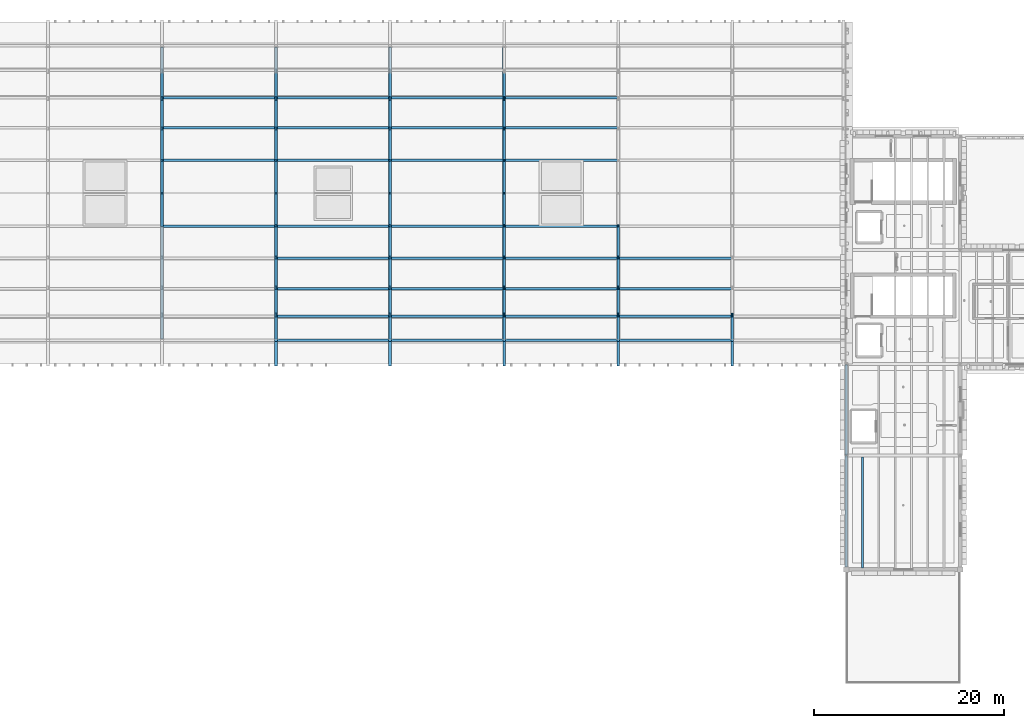
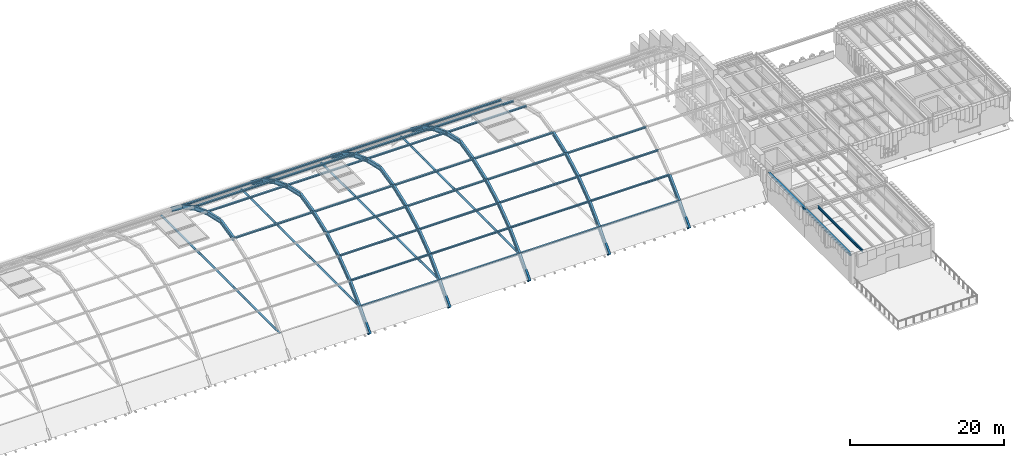
# One storey, part 6 of 35: 77 beams, 4 members.
"""IFC4 building model written with IfcOpenShell, lengths in metres."""

from ifc_helpers import new_model, si_unit, direction, frame, origin, origin_2d, place, context, subcontext, project, spatial, hollow_circle, i_section, extrude, material, material_profile, profile_set, type_object, element, save


model = new_model("IFC4")

# Units and contexts
model_context = context("Model", 3, precision=1e-05, world=origin(), true_north=direction((0.0, 1.0)))
body_context = subcontext(model_context, "Body", "Model", "MODEL_VIEW")
ifc_project = project(units=[si_unit("LENGTHUNIT", "METRE"), si_unit("AREAUNIT", "SQUARE_METRE"), si_unit("VOLUMEUNIT", "CUBIC_METRE"), si_unit("PLANEANGLEUNIT", "RADIAN"), si_unit("MASSUNIT", "GRAM", prefix="KILO")], contexts=[model_context])

# Site, building, storey
site_placement = place(None, origin())
site = spatial("IfcSite", under=ifc_project, at=site_placement, CompositionType="ELEMENT")
building_placement = place(site_placement, origin())
building = spatial("IfcBuilding", under=site, at=building_placement, Name="Zlatogorsky Bluff Art Gallery", CompositionType="ELEMENT")
storey_placement = place(building_placement, frame((0.0, 0.0, 23.39990234375)))
storey = spatial("IfcBuildingStorey", under=building, at=storey_placement, Name="L04", CompositionType="ELEMENT", Elevation=23.39990234375)

# Beams
ifc_material = material(Name="Steel S355", Category="steel")
ifc_material_profile_1 = material_profile(ifc_material, i_section(OverallWidth=0.300048828125, OverallDepth=0.389892578125, WebThickness=0.010986328125, FlangeThickness=0.01904296875, FilletRadius=0.027099609375, at=origin_2d()), Name="HEA 400")
ifc_profile_set_1 = profile_set([ifc_material_profile_1], Name="Steel S355")
beam_type_1 = type_object("IfcBeamType", Name="Beam BM-09 HEA 400", PredefinedType="BEAM", material=ifc_profile_set_1)
beam_1_placement = place(storey_placement, frame((120.0, 62.655029296875, 4.364990234375), z_axis=(0.0, 1.0, 0.0), x_axis=(-1.0, 0.0, 0.0)))
element("IfcBeam", 1, at=beam_1_placement, inside=storey, type_object=beam_type_1, Name="Primary girder BM-09 L04 L/7-8", PredefinedType="BEAM", context=body_context, shape_type="SweptSolid", body=[
    extrude(i_section(OverallWidth=0.300048828125, OverallDepth=0.389892578125, WebThickness=0.010986328125, FlangeThickness=0.01904296875, FilletRadius=0.027099609375, at=origin_2d()), origin(), (0.0, 0.0, 1.0), 11.72998046875),
])
ifc_material_profile_2 = material_profile(ifc_material, i_section(OverallWidth=0.300048828125, OverallDepth=0.35009765625, WebThickness=0.010009765625, FlangeThickness=0.017578125, FilletRadius=0.027099609375, at=origin_2d()), Name="HEA 360")
ifc_profile_set_2 = profile_set([ifc_material_profile_2], Name="Steel S355")
beam_type_2 = type_object("IfcBeamType", Name="Beam BM-10 HEA 360", PredefinedType="BEAM", material=ifc_profile_set_2)
beam_2_placement = place(storey_placement, frame((120.0, 74.4150390625, 4.385009765625), z_axis=(0.0, 1.0, 0.0), x_axis=(-1.0, 0.0, 0.0)))
element("IfcBeam", 2, at=beam_2_placement, inside=storey, type_object=beam_type_2, Name="Primary girder BM-10 L04 L/8-9", PredefinedType="BEAM", context=body_context, shape_type="SweptSolid", body=[
    extrude(i_section(OverallWidth=0.300048828125, OverallDepth=0.35009765625, WebThickness=0.010009765625, FlangeThickness=0.017578125, FilletRadius=0.027099609375, at=origin_2d()), origin(), (0.0, 0.0, 1.0), 9.570068359375),
])
ifc_material_profile_3 = material_profile(ifc_material, i_section(OverallWidth=0.179931640625, OverallDepth=0.39990234375, WebThickness=0.008544921875, FlangeThickness=0.013427734375, FilletRadius=0.02099609375, at=origin_2d()), Name="IPE 400")
ifc_profile_set_3 = profile_set([ifc_material_profile_3], Name="Steel S355")
beam_type_3 = type_object("IfcBeamType", Name="Beam JS-05 IPE 400", PredefinedType="JOIST", material=ifc_profile_set_3)
beam_3_placement = place(storey_placement, frame((121.71435546875, 62.550048828125, 4.360107421875), z_axis=(0.0, 1.0, 0.0), x_axis=(-1.0, 0.0, 0.0)))
element("IfcBeam", 3, at=beam_3_placement, inside=storey, type_object=beam_type_3, Name="Composite floor joist JS-05 L04 10.06.1", PredefinedType="JOIST", context=body_context, shape_type="SweptSolid", body=[
    extrude(i_section(OverallWidth=0.179931640625, OverallDepth=0.39990234375, WebThickness=0.008544921875, FlangeThickness=0.013427734375, FilletRadius=0.02099609375, at=origin_2d()), origin(), (0.0, 0.0, 1.0), 11.699951171875),
])
ifc_material_profile_4 = material_profile(ifc_material, i_section(OverallWidth=0.260009765625, OverallDepth=0.25, WebThickness=0.007568359375, FlangeThickness=0.012451171875, FilletRadius=0.02392578125, at=origin_2d()), Name="HEA 260")
ifc_profile_set_4 = profile_set([ifc_material_profile_4], Name="Steel S355")
beam_type_4 = type_object("IfcBeamType", Name="Beam PR-01 HEA 260", PredefinedType="BEAM", material=ifc_profile_set_4)
for number, where, z_axis, x_axis, name in (
    (4, (48.014892578125, 98.520751953125, 10.438232421875), (1.0, 0.0, 0.0), (0.0, 1.0, 0.0), "Barrel vault longitudinal purlin bay 5 node 5"),
    (5, (48.014892578125, 105.479248046875, 10.438232421875), (1.0, 0.0, 0.0), (0.0, 1.0, 0.0), "Barrel vault longitudinal purlin bay 5 node 7"),
    (6, (48.014892578125, 108.868408203125, 9.16162109375), (1.0, 0.0, 0.0), (0.0, 1.0, 0.0), "Barrel vault longitudinal purlin bay 5 node 8"),
    (7, (48.014892578125, 112.0439453125, 7.419921875), (1.0, 0.0, 0.0), (0.0, 1.0, 0.0), "Barrel vault longitudinal purlin bay 5 node 9"),
    (8, (60.014892578125, 86.495361328125, 2.688720703125), (1.0, 0.0, 0.0), (0.0, 1.0, 0.0), "Barrel vault longitudinal purlin bay 6 node 1"),
    (9, (60.014892578125, 89.05810546875, 5.247802734375), (1.0, 0.0, 0.0), (0.0, 1.0, 0.0), "Barrel vault longitudinal purlin bay 6 node 2"),
    (10, (60.014892578125, 91.9560546875, 7.419921875), (1.0, 0.0, 0.0), (0.0, 1.0, 0.0), "Barrel vault longitudinal purlin bay 6 node 3"),
    (11, (60.014892578125, 95.131591796875, 9.16162109375), (1.0, 0.0, 0.0), (0.0, 1.0, 0.0), "Barrel vault longitudinal purlin bay 6 node 4"),
    (12, (60.014892578125, 98.520751953125, 10.438232421875), (1.0, 0.0, 0.0), (0.0, 1.0, 0.0), "Barrel vault longitudinal purlin bay 6 node 5"),
    (13, (60.014892578125, 105.479248046875, 10.438232421875), (1.0, 0.0, 0.0), (0.0, 1.0, 0.0), "Barrel vault longitudinal purlin bay 6 node 7"),
    (14, (60.014892578125, 108.868408203125, 9.16162109375), (1.0, 0.0, 0.0), (0.0, 1.0, 0.0), "Barrel vault longitudinal purlin bay 6 node 8"),
    (15, (60.014892578125, 112.0439453125, 7.419921875), (1.0, 0.0, 0.0), (0.0, 1.0, 0.0), "Barrel vault longitudinal purlin bay 6 node 9"),
    (16, (72.014892578125, 86.495361328125, 2.688720703125), (1.0, 0.0, 0.0), (0.0, 1.0, 0.0), "Barrel vault longitudinal purlin bay 7 node 1"),
    (17, (72.014892578125, 89.05810546875, 5.247802734375), (1.0, 0.0, 0.0), (0.0, 1.0, 0.0), "Barrel vault longitudinal purlin bay 7 node 2"),
    (18, (72.014892578125, 91.9560546875, 7.419921875), (1.0, 0.0, 0.0), (0.0, 1.0, 0.0), "Barrel vault longitudinal purlin bay 7 node 3"),
    (19, (72.014892578125, 95.131591796875, 9.16162109375), (1.0, 0.0, 0.0), (0.0, 1.0, 0.0), "Barrel vault longitudinal purlin bay 7 node 4"),
    (20, (72.014892578125, 98.520751953125, 10.438232421875), (1.0, 0.0, 0.0), (0.0, 1.0, 0.0), "Barrel vault longitudinal purlin bay 7 node 5"),
    (21, (72.014892578125, 105.479248046875, 10.438232421875), (1.0, 0.0, 0.0), (0.0, 1.0, 0.0), "Barrel vault longitudinal purlin bay 7 node 7"),
    (22, (72.014892578125, 108.868408203125, 9.16162109375), (1.0, 0.0, 0.0), (0.0, 1.0, 0.0), "Barrel vault longitudinal purlin bay 7 node 8"),
    (23, (72.014892578125, 112.0439453125, 7.419921875), (1.0, 0.0, 0.0), (0.0, 1.0, 0.0), "Barrel vault longitudinal purlin bay 7 node 9"),
    (24, (84.014892578125, 86.495361328125, 2.688720703125), (1.0, 0.0, 0.0), (0.0, 1.0, 0.0), "Barrel vault longitudinal purlin bay 8 node 1"),
    (25, (84.014892578125, 89.05810546875, 5.247802734375), (1.0, 0.0, 0.0), (0.0, 1.0, 0.0), "Barrel vault longitudinal purlin bay 8 node 2"),
    (26, (84.014892578125, 91.9560546875, 7.419921875), (1.0, 0.0, 0.0), (0.0, 1.0, 0.0), "Barrel vault longitudinal purlin bay 8 node 3"),
    (27, (84.014892578125, 95.131591796875, 9.16162109375), (1.0, 0.0, 0.0), (0.0, 1.0, 0.0), "Barrel vault longitudinal purlin bay 8 node 4"),
    (28, (84.014892578125, 98.520751953125, 10.438232421875), (1.0, 0.0, 0.0), (0.0, 1.0, 0.0), "Barrel vault longitudinal purlin bay 8 node 5"),
    (29, (84.014892578125, 105.479248046875, 10.438232421875), (1.0, 0.0, 0.0), (0.0, 1.0, 0.0), "Barrel vault longitudinal purlin bay 8 node 7"),
    (30, (84.014892578125, 108.868408203125, 9.16162109375), (1.0, 0.0, 0.0), (0.0, 1.0, 0.0), "Barrel vault longitudinal purlin bay 8 node 8"),
    (31, (84.014892578125, 112.0439453125, 7.419921875), (1.0, 0.0, 0.0), (0.0, 1.0, 0.0), "Barrel vault longitudinal purlin bay 8 node 9"),
    (32, (96.014892578125, 86.495361328125, 2.688720703125), (1.0, 0.0, 0.0), (0.0, 1.0, 0.0), "Barrel vault longitudinal purlin bay 9 node 1"),
    (33, (96.014892578125, 89.05810546875, 5.247802734375), (1.0, 0.0, 0.0), (0.0, 1.0, 0.0), "Barrel vault longitudinal purlin bay 9 node 2"),
    (34, (96.014892578125, 91.9560546875, 7.419921875), (1.0, 0.0, 0.0), (0.0, 1.0, 0.0), "Barrel vault longitudinal purlin bay 9 node 3"),
    (35, (96.014892578125, 95.131591796875, 9.16162109375), (1.0, 0.0, 0.0), (0.0, 1.0, 0.0), "Barrel vault longitudinal purlin bay 9 node 4"),
):
    element("IfcBeam", number, at=place(storey_placement, frame(where, z_axis=z_axis, x_axis=x_axis)), inside=storey, type_object=beam_type_4, Name=name, PredefinedType="BEAM", context=body_context, shape_type="SweptSolid", body=[
        extrude(i_section(OverallWidth=0.260009765625, OverallDepth=0.25, WebThickness=0.007568359375, FlangeThickness=0.012451171875, FilletRadius=0.02392578125, at=origin_2d()), origin(), (0.0, 0.0, 1.0), 11.97021484375),
    ])
ifc_material_profile_5 = material_profile(ifc_material, i_section(OverallWidth=0.300048828125, OverallDepth=0.64990234375, WebThickness=0.01611328125, FlangeThickness=0.031005859375, FilletRadius=0.027099609375, at=origin_2d()), Name="HEB 650")
ifc_profile_set_5 = profile_set([ifc_material_profile_5], Name="Steel S355")
beam_type_5 = type_object("IfcBeamType", Name="Beam VR-01 HEB 650", PredefinedType="BEAM", material=ifc_profile_set_5)
for number, where, z_axis, x_axis, name in (
    (36, (48.0, 98.5693359375, 10.275390625), (0.0, 0.97544148317, 0.220258740827), (-1.0, 0.0, 0.0), "Barrel vault pointed arch rib VR-01 E.6"),
    (37, (48.0, 102.0, 11.050048828125), (0.0, 0.97544148317, -0.220258740827), (-1.0, 0.0, 0.0), "Barrel vault pointed arch rib VR-01 E.7"),
):
    element("IfcBeam", number, at=place(storey_placement, frame(where, z_axis=z_axis, x_axis=x_axis)), inside=storey, type_object=beam_type_5, Name=name, PredefinedType="BEAM", context=body_context, shape_type="SweptSolid", body=[
        extrude(i_section(OverallWidth=0.300048828125, OverallDepth=0.64990234375, WebThickness=0.01611328125, FlangeThickness=0.031005859375, FilletRadius=0.027099609375, at=origin_2d()), origin(), (0.0, 0.0, 1.0), 3.51708984375),
    ])
beam_4_placement = place(storey_placement, frame((48.0, 105.4306640625, 10.275390625), z_axis=(0.0, 0.935806673687, -0.352513644392), x_axis=(-1.0, 0.0, 0.0)))
element("IfcBeam", 38, at=beam_4_placement, inside=storey, type_object=beam_type_5, Name="Barrel vault pointed arch rib VR-01 E.8", PredefinedType="BEAM", context=body_context, shape_type="SweptSolid", body=[
    extrude(i_section(OverallWidth=0.300048828125, OverallDepth=0.64990234375, WebThickness=0.01611328125, FlangeThickness=0.031005859375, FilletRadius=0.027099609375, at=origin_2d()), origin(), (0.0, 0.0, 1.0), 3.597900390625),
])
beam_5_placement = place(storey_placement, frame((48.0, 108.797607421875, 9.007080078125), z_axis=(0.0, 0.876744100789, -0.480957151659), x_axis=(-1.0, 0.0, 0.0)))
element("IfcBeam", 39, at=beam_5_placement, inside=storey, type_object=beam_type_5, Name="Barrel vault pointed arch rib VR-01 E.9", PredefinedType="BEAM", context=body_context, shape_type="SweptSolid", body=[
    extrude(i_section(OverallWidth=0.300048828125, OverallDepth=0.64990234375, WebThickness=0.01611328125, FlangeThickness=0.031005859375, FilletRadius=0.027099609375, at=origin_2d()), origin(), (0.0, 0.0, 1.0), 3.597412109375),
])
beam_6_placement = place(storey_placement, frame((48.0, 111.95166015625, 7.27685546875), z_axis=(0.0, 0.800195391986, -0.599739388939), x_axis=(-1.0, 0.0, 0.0)))
element("IfcBeam", 40, at=beam_6_placement, inside=storey, type_object=beam_type_5, Name="Barrel vault pointed arch rib VR-01 E.10", PredefinedType="BEAM", context=body_context, shape_type="SweptSolid", body=[
    extrude(i_section(OverallWidth=0.300048828125, OverallDepth=0.64990234375, WebThickness=0.01611328125, FlangeThickness=0.031005859375, FilletRadius=0.027099609375, at=origin_2d()), origin(), (0.0, 0.0, 1.0), 3.59765625),
])
beam_7_placement = place(storey_placement, frame((60.0, 84.02001953125, -0.25), z_axis=(0.0, 0.677448622917, 0.735570094082), x_axis=(-1.0, 0.0, 0.0)))
element("IfcBeam", 41, at=beam_7_placement, inside=storey, type_object=beam_type_5, Name="Barrel vault pointed arch rib VR-01 F.1", PredefinedType="BEAM", context=body_context, shape_type="SweptSolid", body=[
    extrude(i_section(OverallWidth=0.300048828125, OverallDepth=0.64990234375, WebThickness=0.01611328125, FlangeThickness=0.031005859375, FilletRadius=0.027099609375, at=origin_2d()), origin(), (0.0, 0.0, 1.0), 3.843505859375),
])
beam_8_placement = place(storey_placement, frame((60.0, 86.623779296875, 2.5771484375), z_axis=(0.0, 0.707615576313, 0.706597619696), x_axis=(-1.0, 0.0, 0.0)))
element("IfcBeam", 42, at=beam_8_placement, inside=storey, type_object=beam_type_5, Name="Barrel vault pointed arch rib VR-01 F.2", PredefinedType="BEAM", context=body_context, shape_type="SweptSolid", body=[
    extrude(i_section(OverallWidth=0.300048828125, OverallDepth=0.64990234375, WebThickness=0.01611328125, FlangeThickness=0.031005859375, FilletRadius=0.027099609375, at=origin_2d()), origin(), (0.0, 0.0, 1.0), 3.597412109375),
])
beam_9_placement = place(storey_placement, frame((60.0, 89.16943359375, 5.119140625), z_axis=(0.0, 0.800195391986, 0.599739388939), x_axis=(-1.0, 0.0, 0.0)))
element("IfcBeam", 43, at=beam_9_placement, inside=storey, type_object=beam_type_5, Name="Barrel vault pointed arch rib VR-01 F.3", PredefinedType="BEAM", context=body_context, shape_type="SweptSolid", body=[
    extrude(i_section(OverallWidth=0.300048828125, OverallDepth=0.64990234375, WebThickness=0.01611328125, FlangeThickness=0.031005859375, FilletRadius=0.027099609375, at=origin_2d()), origin(), (0.0, 0.0, 1.0), 3.59765625),
])
beam_10_placement = place(storey_placement, frame((60.0, 92.04833984375, 7.27685546875), z_axis=(0.0, 0.876744100789, 0.480957151659), x_axis=(-1.0, 0.0, 0.0)))
element("IfcBeam", 44, at=beam_10_placement, inside=storey, type_object=beam_type_5, Name="Barrel vault pointed arch rib VR-01 F.4", PredefinedType="BEAM", context=body_context, shape_type="SweptSolid", body=[
    extrude(i_section(OverallWidth=0.300048828125, OverallDepth=0.64990234375, WebThickness=0.01611328125, FlangeThickness=0.031005859375, FilletRadius=0.027099609375, at=origin_2d()), origin(), (0.0, 0.0, 1.0), 3.597412109375),
])
beam_11_placement = place(storey_placement, frame((60.0, 95.202392578125, 9.007080078125), z_axis=(0.0, 0.935806673687, 0.352513644392), x_axis=(-1.0, 0.0, 0.0)))
element("IfcBeam", 45, at=beam_11_placement, inside=storey, type_object=beam_type_5, Name="Barrel vault pointed arch rib VR-01 F.5", PredefinedType="BEAM", context=body_context, shape_type="SweptSolid", body=[
    extrude(i_section(OverallWidth=0.300048828125, OverallDepth=0.64990234375, WebThickness=0.01611328125, FlangeThickness=0.031005859375, FilletRadius=0.027099609375, at=origin_2d()), origin(), (0.0, 0.0, 1.0), 3.597900390625),
])
for number, where, z_axis, x_axis, name in (
    (46, (60.0, 98.5693359375, 10.275390625), (0.0, 0.97544148317, 0.220258740827), (-1.0, 0.0, 0.0), "Barrel vault pointed arch rib VR-01 F.6"),
    (47, (60.0, 102.0, 11.050048828125), (0.0, 0.97544148317, -0.220258740827), (-1.0, 0.0, 0.0), "Barrel vault pointed arch rib VR-01 F.7"),
):
    element("IfcBeam", number, at=place(storey_placement, frame(where, z_axis=z_axis, x_axis=x_axis)), inside=storey, type_object=beam_type_5, Name=name, PredefinedType="BEAM", context=body_context, shape_type="SweptSolid", body=[
        extrude(i_section(OverallWidth=0.300048828125, OverallDepth=0.64990234375, WebThickness=0.01611328125, FlangeThickness=0.031005859375, FilletRadius=0.027099609375, at=origin_2d()), origin(), (0.0, 0.0, 1.0), 3.51708984375),
    ])
beam_12_placement = place(storey_placement, frame((60.0, 105.4306640625, 10.275390625), z_axis=(0.0, 0.935806673687, -0.352513644392), x_axis=(-1.0, 0.0, 0.0)))
element("IfcBeam", 48, at=beam_12_placement, inside=storey, type_object=beam_type_5, Name="Barrel vault pointed arch rib VR-01 F.8", PredefinedType="BEAM", context=body_context, shape_type="SweptSolid", body=[
    extrude(i_section(OverallWidth=0.300048828125, OverallDepth=0.64990234375, WebThickness=0.01611328125, FlangeThickness=0.031005859375, FilletRadius=0.027099609375, at=origin_2d()), origin(), (0.0, 0.0, 1.0), 3.597900390625),
])
beam_13_placement = place(storey_placement, frame((60.0, 108.797607421875, 9.007080078125), z_axis=(0.0, 0.876744100789, -0.480957151659), x_axis=(-1.0, 0.0, 0.0)))
element("IfcBeam", 49, at=beam_13_placement, inside=storey, type_object=beam_type_5, Name="Barrel vault pointed arch rib VR-01 F.9", PredefinedType="BEAM", context=body_context, shape_type="SweptSolid", body=[
    extrude(i_section(OverallWidth=0.300048828125, OverallDepth=0.64990234375, WebThickness=0.01611328125, FlangeThickness=0.031005859375, FilletRadius=0.027099609375, at=origin_2d()), origin(), (0.0, 0.0, 1.0), 3.597412109375),
])
beam_14_placement = place(storey_placement, frame((60.0, 111.95166015625, 7.27685546875), z_axis=(0.0, 0.800195391986, -0.599739388939), x_axis=(-1.0, 0.0, 0.0)))
element("IfcBeam", 50, at=beam_14_placement, inside=storey, type_object=beam_type_5, Name="Barrel vault pointed arch rib VR-01 F.10", PredefinedType="BEAM", context=body_context, shape_type="SweptSolid", body=[
    extrude(i_section(OverallWidth=0.300048828125, OverallDepth=0.64990234375, WebThickness=0.01611328125, FlangeThickness=0.031005859375, FilletRadius=0.027099609375, at=origin_2d()), origin(), (0.0, 0.0, 1.0), 3.59765625),
])
beam_15_placement = place(storey_placement, frame((72.0, 84.02001953125, -0.25), z_axis=(0.0, 0.677448622917, 0.735570094082), x_axis=(-1.0, 0.0, 0.0)))
element("IfcBeam", 51, at=beam_15_placement, inside=storey, type_object=beam_type_5, Name="Barrel vault pointed arch rib VR-01 G.1", PredefinedType="BEAM", context=body_context, shape_type="SweptSolid", body=[
    extrude(i_section(OverallWidth=0.300048828125, OverallDepth=0.64990234375, WebThickness=0.01611328125, FlangeThickness=0.031005859375, FilletRadius=0.027099609375, at=origin_2d()), origin(), (0.0, 0.0, 1.0), 3.843505859375),
])
beam_16_placement = place(storey_placement, frame((72.0, 86.623779296875, 2.5771484375), z_axis=(0.0, 0.707615576313, 0.706597619696), x_axis=(-1.0, 0.0, 0.0)))
element("IfcBeam", 52, at=beam_16_placement, inside=storey, type_object=beam_type_5, Name="Barrel vault pointed arch rib VR-01 G.2", PredefinedType="BEAM", context=body_context, shape_type="SweptSolid", body=[
    extrude(i_section(OverallWidth=0.300048828125, OverallDepth=0.64990234375, WebThickness=0.01611328125, FlangeThickness=0.031005859375, FilletRadius=0.027099609375, at=origin_2d()), origin(), (0.0, 0.0, 1.0), 3.597412109375),
])
beam_17_placement = place(storey_placement, frame((72.0, 89.16943359375, 5.119140625), z_axis=(0.0, 0.800195391986, 0.599739388939), x_axis=(-1.0, 0.0, 0.0)))
element("IfcBeam", 53, at=beam_17_placement, inside=storey, type_object=beam_type_5, Name="Barrel vault pointed arch rib VR-01 G.3", PredefinedType="BEAM", context=body_context, shape_type="SweptSolid", body=[
    extrude(i_section(OverallWidth=0.300048828125, OverallDepth=0.64990234375, WebThickness=0.01611328125, FlangeThickness=0.031005859375, FilletRadius=0.027099609375, at=origin_2d()), origin(), (0.0, 0.0, 1.0), 3.59765625),
])
beam_18_placement = place(storey_placement, frame((72.0, 92.04833984375, 7.27685546875), z_axis=(0.0, 0.876744100789, 0.480957151659), x_axis=(-1.0, 0.0, 0.0)))
element("IfcBeam", 54, at=beam_18_placement, inside=storey, type_object=beam_type_5, Name="Barrel vault pointed arch rib VR-01 G.4", PredefinedType="BEAM", context=body_context, shape_type="SweptSolid", body=[
    extrude(i_section(OverallWidth=0.300048828125, OverallDepth=0.64990234375, WebThickness=0.01611328125, FlangeThickness=0.031005859375, FilletRadius=0.027099609375, at=origin_2d()), origin(), (0.0, 0.0, 1.0), 3.597412109375),
])
beam_19_placement = place(storey_placement, frame((72.0, 95.202392578125, 9.007080078125), z_axis=(0.0, 0.935806673687, 0.352513644392), x_axis=(-1.0, 0.0, 0.0)))
element("IfcBeam", 55, at=beam_19_placement, inside=storey, type_object=beam_type_5, Name="Barrel vault pointed arch rib VR-01 G.5", PredefinedType="BEAM", context=body_context, shape_type="SweptSolid", body=[
    extrude(i_section(OverallWidth=0.300048828125, OverallDepth=0.64990234375, WebThickness=0.01611328125, FlangeThickness=0.031005859375, FilletRadius=0.027099609375, at=origin_2d()), origin(), (0.0, 0.0, 1.0), 3.597900390625),
])
for number, where, z_axis, x_axis, name in (
    (56, (72.0, 98.5693359375, 10.275390625), (0.0, 0.97544148317, 0.220258740827), (-1.0, 0.0, 0.0), "Barrel vault pointed arch rib VR-01 G.6"),
    (57, (72.0, 102.0, 11.050048828125), (0.0, 0.97544148317, -0.220258740827), (-1.0, 0.0, 0.0), "Barrel vault pointed arch rib VR-01 G.7"),
):
    element("IfcBeam", number, at=place(storey_placement, frame(where, z_axis=z_axis, x_axis=x_axis)), inside=storey, type_object=beam_type_5, Name=name, PredefinedType="BEAM", context=body_context, shape_type="SweptSolid", body=[
        extrude(i_section(OverallWidth=0.300048828125, OverallDepth=0.64990234375, WebThickness=0.01611328125, FlangeThickness=0.031005859375, FilletRadius=0.027099609375, at=origin_2d()), origin(), (0.0, 0.0, 1.0), 3.51708984375),
    ])
beam_20_placement = place(storey_placement, frame((72.0, 105.4306640625, 10.275390625), z_axis=(0.0, 0.935806673687, -0.352513644392), x_axis=(-1.0, 0.0, 0.0)))
element("IfcBeam", 58, at=beam_20_placement, inside=storey, type_object=beam_type_5, Name="Barrel vault pointed arch rib VR-01 G.8", PredefinedType="BEAM", context=body_context, shape_type="SweptSolid", body=[
    extrude(i_section(OverallWidth=0.300048828125, OverallDepth=0.64990234375, WebThickness=0.01611328125, FlangeThickness=0.031005859375, FilletRadius=0.027099609375, at=origin_2d()), origin(), (0.0, 0.0, 1.0), 3.597900390625),
])
beam_21_placement = place(storey_placement, frame((72.0, 108.797607421875, 9.007080078125), z_axis=(0.0, 0.876744100789, -0.480957151659), x_axis=(-1.0, 0.0, 0.0)))
element("IfcBeam", 59, at=beam_21_placement, inside=storey, type_object=beam_type_5, Name="Barrel vault pointed arch rib VR-01 G.9", PredefinedType="BEAM", context=body_context, shape_type="SweptSolid", body=[
    extrude(i_section(OverallWidth=0.300048828125, OverallDepth=0.64990234375, WebThickness=0.01611328125, FlangeThickness=0.031005859375, FilletRadius=0.027099609375, at=origin_2d()), origin(), (0.0, 0.0, 1.0), 3.597412109375),
])
beam_22_placement = place(storey_placement, frame((72.0, 111.95166015625, 7.27685546875), z_axis=(0.0, 0.800195391986, -0.599739388939), x_axis=(-1.0, 0.0, 0.0)))
element("IfcBeam", 60, at=beam_22_placement, inside=storey, type_object=beam_type_5, Name="Barrel vault pointed arch rib VR-01 G.10", PredefinedType="BEAM", context=body_context, shape_type="SweptSolid", body=[
    extrude(i_section(OverallWidth=0.300048828125, OverallDepth=0.64990234375, WebThickness=0.01611328125, FlangeThickness=0.031005859375, FilletRadius=0.027099609375, at=origin_2d()), origin(), (0.0, 0.0, 1.0), 3.59765625),
])
beam_23_placement = place(storey_placement, frame((84.0, 84.02001953125, -0.25), z_axis=(0.0, 0.677448622917, 0.735570094082), x_axis=(-1.0, 0.0, 0.0)))
element("IfcBeam", 61, at=beam_23_placement, inside=storey, type_object=beam_type_5, Name="Barrel vault pointed arch rib VR-01 H.1", PredefinedType="BEAM", context=body_context, shape_type="SweptSolid", body=[
    extrude(i_section(OverallWidth=0.300048828125, OverallDepth=0.64990234375, WebThickness=0.01611328125, FlangeThickness=0.031005859375, FilletRadius=0.027099609375, at=origin_2d()), origin(), (0.0, 0.0, 1.0), 3.843505859375),
])
beam_24_placement = place(storey_placement, frame((84.0, 86.623779296875, 2.5771484375), z_axis=(0.0, 0.707615576313, 0.706597619696), x_axis=(-1.0, 0.0, 0.0)))
element("IfcBeam", 62, at=beam_24_placement, inside=storey, type_object=beam_type_5, Name="Barrel vault pointed arch rib VR-01 H.2", PredefinedType="BEAM", context=body_context, shape_type="SweptSolid", body=[
    extrude(i_section(OverallWidth=0.300048828125, OverallDepth=0.64990234375, WebThickness=0.01611328125, FlangeThickness=0.031005859375, FilletRadius=0.027099609375, at=origin_2d()), origin(), (0.0, 0.0, 1.0), 3.597412109375),
])
beam_25_placement = place(storey_placement, frame((84.0, 89.16943359375, 5.119140625), z_axis=(0.0, 0.800195391986, 0.599739388939), x_axis=(-1.0, 0.0, 0.0)))
element("IfcBeam", 63, at=beam_25_placement, inside=storey, type_object=beam_type_5, Name="Barrel vault pointed arch rib VR-01 H.3", PredefinedType="BEAM", context=body_context, shape_type="SweptSolid", body=[
    extrude(i_section(OverallWidth=0.300048828125, OverallDepth=0.64990234375, WebThickness=0.01611328125, FlangeThickness=0.031005859375, FilletRadius=0.027099609375, at=origin_2d()), origin(), (0.0, 0.0, 1.0), 3.59765625),
])
beam_26_placement = place(storey_placement, frame((84.0, 92.04833984375, 7.27685546875), z_axis=(0.0, 0.876744100789, 0.480957151659), x_axis=(-1.0, 0.0, 0.0)))
element("IfcBeam", 64, at=beam_26_placement, inside=storey, type_object=beam_type_5, Name="Barrel vault pointed arch rib VR-01 H.4", PredefinedType="BEAM", context=body_context, shape_type="SweptSolid", body=[
    extrude(i_section(OverallWidth=0.300048828125, OverallDepth=0.64990234375, WebThickness=0.01611328125, FlangeThickness=0.031005859375, FilletRadius=0.027099609375, at=origin_2d()), origin(), (0.0, 0.0, 1.0), 3.597412109375),
])
beam_27_placement = place(storey_placement, frame((84.0, 95.202392578125, 9.007080078125), z_axis=(0.0, 0.935806673687, 0.352513644392), x_axis=(-1.0, 0.0, 0.0)))
element("IfcBeam", 65, at=beam_27_placement, inside=storey, type_object=beam_type_5, Name="Barrel vault pointed arch rib VR-01 H.5", PredefinedType="BEAM", context=body_context, shape_type="SweptSolid", body=[
    extrude(i_section(OverallWidth=0.300048828125, OverallDepth=0.64990234375, WebThickness=0.01611328125, FlangeThickness=0.031005859375, FilletRadius=0.027099609375, at=origin_2d()), origin(), (0.0, 0.0, 1.0), 3.597900390625),
])
for number, where, z_axis, x_axis, name in (
    (66, (84.0, 98.5693359375, 10.275390625), (0.0, 0.97544148317, 0.220258740827), (-1.0, 0.0, 0.0), "Barrel vault pointed arch rib VR-01 H.6"),
    (67, (84.0, 102.0, 11.050048828125), (0.0, 0.97544148317, -0.220258740827), (-1.0, 0.0, 0.0), "Barrel vault pointed arch rib VR-01 H.7"),
):
    element("IfcBeam", number, at=place(storey_placement, frame(where, z_axis=z_axis, x_axis=x_axis)), inside=storey, type_object=beam_type_5, Name=name, PredefinedType="BEAM", context=body_context, shape_type="SweptSolid", body=[
        extrude(i_section(OverallWidth=0.300048828125, OverallDepth=0.64990234375, WebThickness=0.01611328125, FlangeThickness=0.031005859375, FilletRadius=0.027099609375, at=origin_2d()), origin(), (0.0, 0.0, 1.0), 3.51708984375),
    ])
beam_28_placement = place(storey_placement, frame((84.0, 105.4306640625, 10.275390625), z_axis=(0.0, 0.935806673687, -0.352513644392), x_axis=(-1.0, 0.0, 0.0)))
element("IfcBeam", 68, at=beam_28_placement, inside=storey, type_object=beam_type_5, Name="Barrel vault pointed arch rib VR-01 H.8", PredefinedType="BEAM", context=body_context, shape_type="SweptSolid", body=[
    extrude(i_section(OverallWidth=0.300048828125, OverallDepth=0.64990234375, WebThickness=0.01611328125, FlangeThickness=0.031005859375, FilletRadius=0.027099609375, at=origin_2d()), origin(), (0.0, 0.0, 1.0), 3.597900390625),
])
beam_29_placement = place(storey_placement, frame((84.0, 108.797607421875, 9.007080078125), z_axis=(0.0, 0.876744100789, -0.480957151659), x_axis=(-1.0, 0.0, 0.0)))
element("IfcBeam", 69, at=beam_29_placement, inside=storey, type_object=beam_type_5, Name="Barrel vault pointed arch rib VR-01 H.9", PredefinedType="BEAM", context=body_context, shape_type="SweptSolid", body=[
    extrude(i_section(OverallWidth=0.300048828125, OverallDepth=0.64990234375, WebThickness=0.01611328125, FlangeThickness=0.031005859375, FilletRadius=0.027099609375, at=origin_2d()), origin(), (0.0, 0.0, 1.0), 3.597412109375),
])
beam_30_placement = place(storey_placement, frame((84.0, 111.95166015625, 7.27685546875), z_axis=(0.0, 0.800195391986, -0.599739388939), x_axis=(-1.0, 0.0, 0.0)))
element("IfcBeam", 70, at=beam_30_placement, inside=storey, type_object=beam_type_5, Name="Barrel vault pointed arch rib VR-01 H.10", PredefinedType="BEAM", context=body_context, shape_type="SweptSolid", body=[
    extrude(i_section(OverallWidth=0.300048828125, OverallDepth=0.64990234375, WebThickness=0.01611328125, FlangeThickness=0.031005859375, FilletRadius=0.027099609375, at=origin_2d()), origin(), (0.0, 0.0, 1.0), 3.59765625),
])
beam_31_placement = place(storey_placement, frame((96.0, 84.02001953125, -0.25), z_axis=(0.0, 0.677448622917, 0.735570094082), x_axis=(-1.0, 0.0, 0.0)))
element("IfcBeam", 71, at=beam_31_placement, inside=storey, type_object=beam_type_5, Name="Barrel vault pointed arch rib VR-01 J.1", PredefinedType="BEAM", context=body_context, shape_type="SweptSolid", body=[
    extrude(i_section(OverallWidth=0.300048828125, OverallDepth=0.64990234375, WebThickness=0.01611328125, FlangeThickness=0.031005859375, FilletRadius=0.027099609375, at=origin_2d()), origin(), (0.0, 0.0, 1.0), 3.843505859375),
])
beam_32_placement = place(storey_placement, frame((96.0, 86.623779296875, 2.5771484375), z_axis=(0.0, 0.707615576313, 0.706597619696), x_axis=(-1.0, 0.0, 0.0)))
element("IfcBeam", 72, at=beam_32_placement, inside=storey, type_object=beam_type_5, Name="Barrel vault pointed arch rib VR-01 J.2", PredefinedType="BEAM", context=body_context, shape_type="SweptSolid", body=[
    extrude(i_section(OverallWidth=0.300048828125, OverallDepth=0.64990234375, WebThickness=0.01611328125, FlangeThickness=0.031005859375, FilletRadius=0.027099609375, at=origin_2d()), origin(), (0.0, 0.0, 1.0), 3.597412109375),
])
beam_33_placement = place(storey_placement, frame((96.0, 89.16943359375, 5.119140625), z_axis=(0.0, 0.800195391986, 0.599739388939), x_axis=(-1.0, 0.0, 0.0)))
element("IfcBeam", 73, at=beam_33_placement, inside=storey, type_object=beam_type_5, Name="Barrel vault pointed arch rib VR-01 J.3", PredefinedType="BEAM", context=body_context, shape_type="SweptSolid", body=[
    extrude(i_section(OverallWidth=0.300048828125, OverallDepth=0.64990234375, WebThickness=0.01611328125, FlangeThickness=0.031005859375, FilletRadius=0.027099609375, at=origin_2d()), origin(), (0.0, 0.0, 1.0), 3.59765625),
])
beam_34_placement = place(storey_placement, frame((96.0, 92.04833984375, 7.27685546875), z_axis=(0.0, 0.876744100789, 0.480957151659), x_axis=(-1.0, 0.0, 0.0)))
element("IfcBeam", 74, at=beam_34_placement, inside=storey, type_object=beam_type_5, Name="Barrel vault pointed arch rib VR-01 J.4", PredefinedType="BEAM", context=body_context, shape_type="SweptSolid", body=[
    extrude(i_section(OverallWidth=0.300048828125, OverallDepth=0.64990234375, WebThickness=0.01611328125, FlangeThickness=0.031005859375, FilletRadius=0.027099609375, at=origin_2d()), origin(), (0.0, 0.0, 1.0), 3.597412109375),
])
beam_35_placement = place(storey_placement, frame((96.0, 95.202392578125, 9.007080078125), z_axis=(0.0, 0.935806673687, 0.352513644392), x_axis=(-1.0, 0.0, 0.0)))
element("IfcBeam", 75, at=beam_35_placement, inside=storey, type_object=beam_type_5, Name="Barrel vault pointed arch rib VR-01 J.5", PredefinedType="BEAM", context=body_context, shape_type="SweptSolid", body=[
    extrude(i_section(OverallWidth=0.300048828125, OverallDepth=0.64990234375, WebThickness=0.01611328125, FlangeThickness=0.031005859375, FilletRadius=0.027099609375, at=origin_2d()), origin(), (0.0, 0.0, 1.0), 3.597900390625),
])
beam_36_placement = place(storey_placement, frame((108.0, 84.02001953125, -0.25), z_axis=(0.0, 0.677448622917, 0.735570094082), x_axis=(-1.0, 0.0, 0.0)))
element("IfcBeam", 76, at=beam_36_placement, inside=storey, type_object=beam_type_5, Name="Barrel vault pointed arch rib VR-01 K.1", PredefinedType="BEAM", context=body_context, shape_type="SweptSolid", body=[
    extrude(i_section(OverallWidth=0.300048828125, OverallDepth=0.64990234375, WebThickness=0.01611328125, FlangeThickness=0.031005859375, FilletRadius=0.027099609375, at=origin_2d()), origin(), (0.0, 0.0, 1.0), 3.843505859375),
])
beam_37_placement = place(storey_placement, frame((108.0, 86.623779296875, 2.5771484375), z_axis=(0.0, 0.707615576313, 0.706597619696), x_axis=(-1.0, 0.0, 0.0)))
element("IfcBeam", 77, at=beam_37_placement, inside=storey, type_object=beam_type_5, Name="Barrel vault pointed arch rib VR-01 K.2", PredefinedType="BEAM", context=body_context, shape_type="SweptSolid", body=[
    extrude(i_section(OverallWidth=0.300048828125, OverallDepth=0.64990234375, WebThickness=0.01611328125, FlangeThickness=0.031005859375, FilletRadius=0.027099609375, at=origin_2d()), origin(), (0.0, 0.0, 1.0), 3.597412109375),
])

# Members
ifc_material_profile_6 = material_profile(ifc_material, hollow_circle(Radius=0.161865234375, WallThickness=0.01611328125, at=origin_2d()), Name="CHS 323.9x16")
ifc_profile_set_6 = profile_set([ifc_material_profile_6], Name="Steel S355")
member_type = type_object("IfcMemberType", Name="Member VT-01 CHS 323.9x16", PredefinedType="STRUT", material=ifc_profile_set_6)
for number, where, z_axis, x_axis, name in (
    (78, (48.0, 86.623779296875, 2.5771484375), (0.0, 1.0, 0.0), (-1.0, 0.0, 0.0), "Barrel vault springing tension tie VT-01 Grid E"),
    (79, (60.0, 86.623779296875, 2.5771484375), (0.0, 1.0, 0.0), (-1.0, 0.0, 0.0), "Barrel vault springing tension tie VT-01 Grid F"),
    (80, (72.0, 86.623779296875, 2.5771484375), (0.0, 1.0, 0.0), (-1.0, 0.0, 0.0), "Barrel vault springing tension tie VT-01 Grid G"),
    (81, (84.0, 86.623779296875, 2.5771484375), (0.0, 1.0, 0.0), (-1.0, 0.0, 0.0), "Barrel vault springing tension tie VT-01 Grid H"),
):
    element("IfcMember", number, at=place(storey_placement, frame(where, z_axis=z_axis, x_axis=x_axis)), inside=storey, type_object=member_type, Name=name, PredefinedType="STRUT", context=body_context, shape_type="SweptSolid", body=[
        extrude(hollow_circle(Radius=0.161865234375, WallThickness=0.01611328125, at=origin_2d()), origin(), (0.0, 0.0, 1.0), 30.75244140625),
    ])

save(model, "model.ifc")
